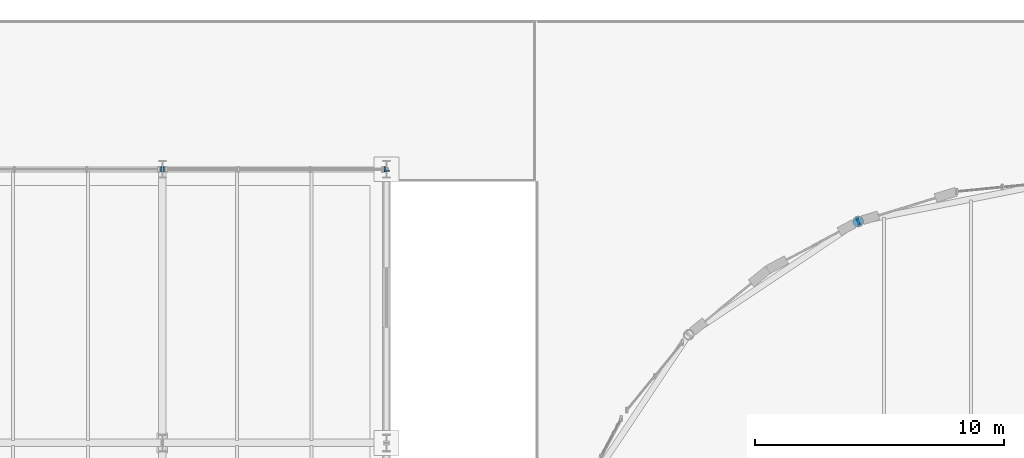
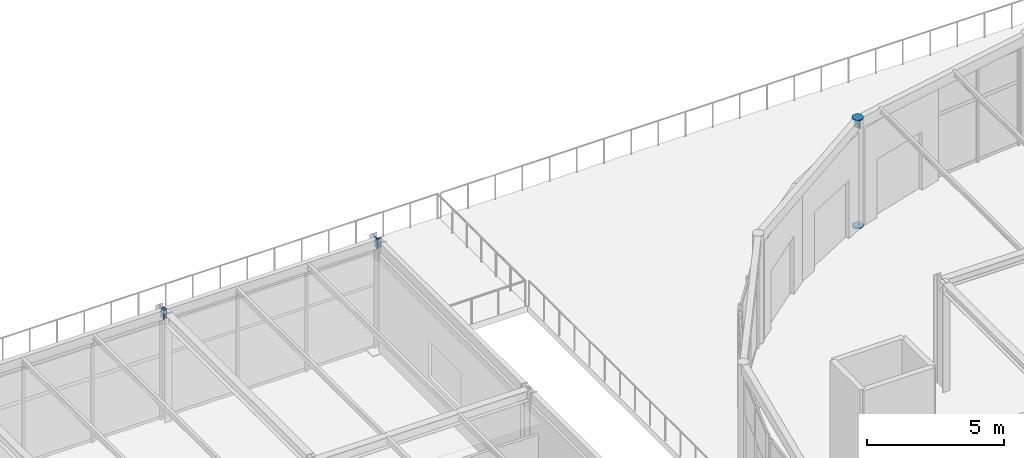
# One storey, part 116 of 143: 8 discrete accessories.
"""IFC4 building model written with IfcOpenShell, lengths in metres."""

from ifc_helpers import new_model, si_unit, direction, frame, origin, origin_2d, place, context, subcontext, project, spatial, rectangle, circle, extrude, material, element, save


model = new_model("IFC4")

# Units and contexts
model_context = context("Model", 3, precision=1e-05, world=origin(), true_north=direction((0.0, 1.0)))
body_context = subcontext(model_context, "Body", "Model", "MODEL_VIEW")
ifc_project = project(units=[si_unit("LENGTHUNIT", "METRE"), si_unit("AREAUNIT", "SQUARE_METRE"), si_unit("VOLUMEUNIT", "CUBIC_METRE"), si_unit("PLANEANGLEUNIT", "RADIAN"), si_unit("MASSUNIT", "GRAM", prefix="KILO")], contexts=[model_context])

# Site, building, storey
site_placement = place(None, origin())
site = spatial("IfcSite", under=ifc_project, at=site_placement, CompositionType="ELEMENT")
building_placement = place(site_placement, origin())
building = spatial("IfcBuilding", under=site, at=building_placement, Name="Marlcrest Central Station", CompositionType="ELEMENT")
storey_placement = place(building_placement, frame((0.0, 0.0, 4.800048828125)))
storey = spatial("IfcBuildingStorey", under=building, at=storey_placement, Name="L01", CompositionType="ELEMENT", Elevation=4.800048828125)

# Discrete accessories
ifc_material = material(Name="Steel S355", Category="steel")
for number, where, z_axis, x_axis, name in (
    (1, (71.925048828125, 132.0, 4.619873046875), (1.0, 0.0, 0.0), (0.0, 1.0, 0.0), "endcap-bm-SP-01-L01-00262-e"),
    (2, (72.03515625, 132.0, 4.619873046875), (1.0, 0.0, 0.0), (0.0, 1.0, 0.0), "endcap-bm-SP-01-L01-00263-s"),
    (3, (80.925048828125, 132.0, 4.619873046875), (1.0, 0.0, 0.0), (0.0, 1.0, 0.0), "endcap-bm-SP-01-L01-00263-e"),
    (4, (81.0, 131.925048828125, 4.619873046875), (0.0, 1.0, 0.0), (-1.0, 0.0, 0.0), "endcap-bm-SP-01-L01-00293-e"),
):
    element("IfcDiscreteAccessory", number, at=place(storey_placement, frame(where, z_axis=z_axis, x_axis=x_axis)), inside=storey, material=ifc_material, Name=name, ObjectType="END_CAP_PLATE", PredefinedType="BRACKET", context=body_context, shape_type="SweptSolid", body=[
        extrude(rectangle(XDim=0.216064453125, YDim=0.416015625, at=origin_2d()), origin(), (0.0, 0.0, 1.0), 0.0400390625),
    ])
for number, where, z_axis, x_axis, name in (
    (5, (99.964111328125, 129.90087890625, -0.014892578125), (0.0, 0.0, 1.0), (1.0, 0.0, 0.0), "endcap-col-SC-10-L01-0852-s"),
    (6, (99.964111328125, 129.90087890625, 4.78515625), (0.0, 0.0, 1.0), (1.0, 0.0, 0.0), "endcap-col-SC-10-L01-0852-e"),
):
    element("IfcDiscreteAccessory", number, at=place(storey_placement, frame(where, z_axis=z_axis, x_axis=x_axis)), inside=storey, material=ifc_material, Name=name, ObjectType="END_CAP_PLATE", PredefinedType="BRACKET", context=body_context, shape_type="SweptSolid", body=[
        extrude(circle(Radius=0.211181640625, at=origin_2d()), origin(), (0.0, 0.0, 1.0), 0.0400390625),
    ])
for number, where, z_axis, x_axis, name in (
    (7, (99.943359375, 129.886962890625, 4.58984375), (0.831508991937, 0.55551129271, 0.0), (-0.55551129271, 0.831508991937, 0.0), "endcap-bm-SP-02-L01-01460-e"),
    (8, (99.949462890625, 129.89794921875, 4.58984375), (0.980769316421, 0.19517056122, 0.0), (-0.19517056122, 0.980769316421, 0.0), "endcap-bm-SP-02-L01-01461-s"),
):
    element("IfcDiscreteAccessory", number, at=place(storey_placement, frame(where, z_axis=z_axis, x_axis=x_axis)), inside=storey, material=ifc_material, Name=name, ObjectType="END_CAP_PLATE", PredefinedType="BRACKET", context=body_context, shape_type="SweptSolid", body=[
        extrude(rectangle(XDim=0.26611328125, YDim=0.466064453125, at=origin_2d()), origin(), (0.0, 0.0, 1.0), 0.0400390625),
    ])

save(model, "model.ifc")
